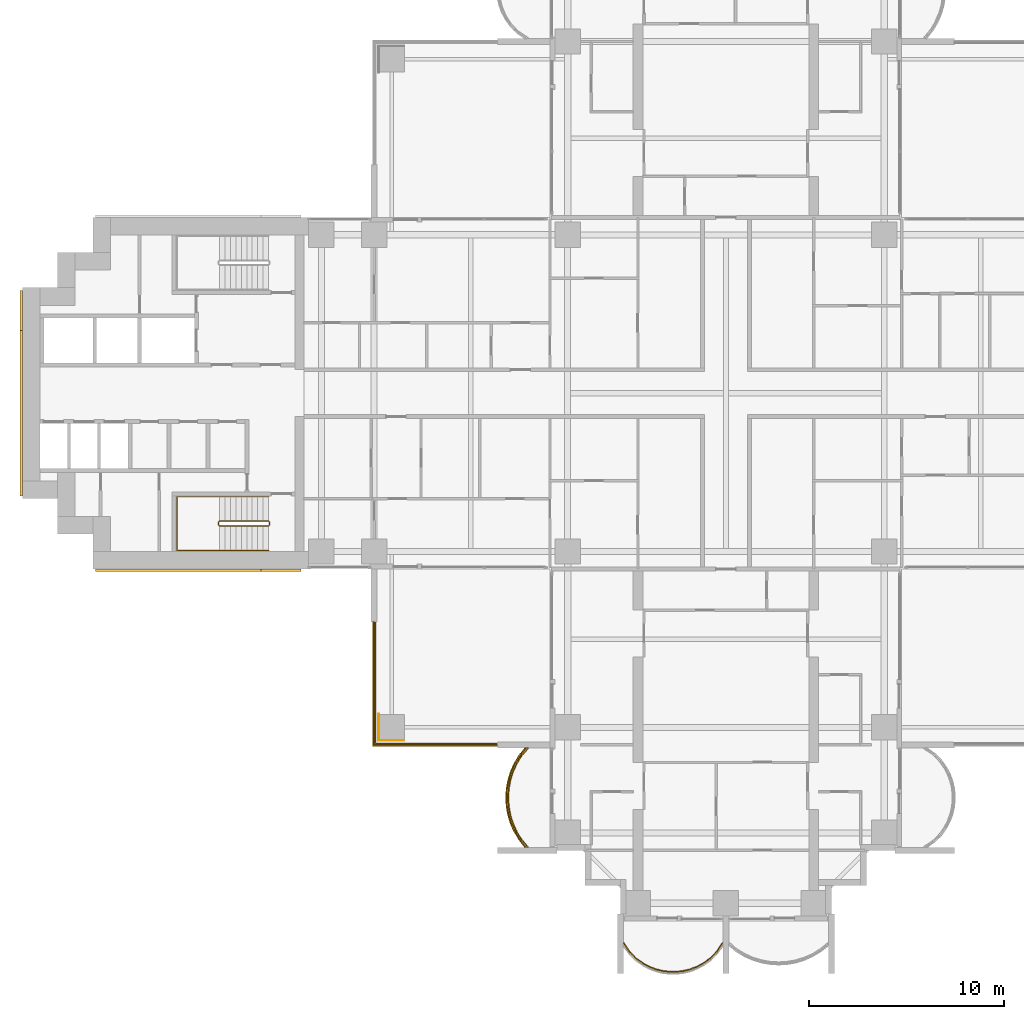
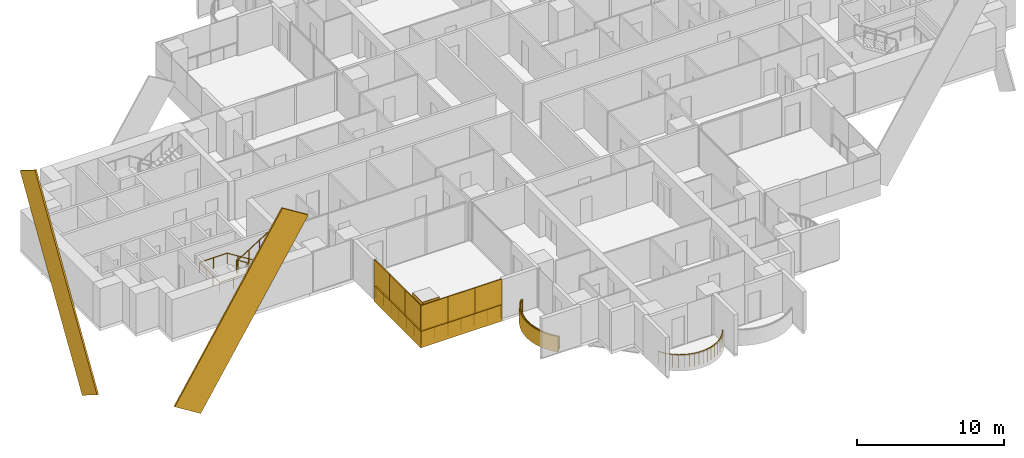
# One storey, part 19 of 23: 12 coverings, 5 railings.
"""IFC4 building model written with IfcOpenShell, lengths in metres."""

from ifc_helpers import new_model, si_unit, direction, frame, origin, origin_2d, place, context, subcontext, project, spatial, polyline, rectangle, outline, extrude, material, layer, layer_set, material_profile, profile_set, type_object, element, save


model = new_model("IFC4")

# Units and contexts
model_context = context("Model", 3, precision=1e-05, world=origin(), true_north=direction((0.0, 1.0)))
body_context = subcontext(model_context, "Body", "Model", "MODEL_VIEW")
ifc_project = project(units=[si_unit("LENGTHUNIT", "METRE"), si_unit("AREAUNIT", "SQUARE_METRE"), si_unit("VOLUMEUNIT", "CUBIC_METRE"), si_unit("PLANEANGLEUNIT", "RADIAN"), si_unit("MASSUNIT", "GRAM", prefix="KILO")], contexts=[model_context])

# Site, building, storey
site_placement = place(None, origin())
site = spatial("IfcSite", under=ifc_project, at=site_placement, CompositionType="ELEMENT")
building_placement = place(site_placement, origin())
building = spatial("IfcBuilding", under=site, at=building_placement, Name="Perihelion Cross Residences", CompositionType="ELEMENT")
storey_placement = place(building_placement, frame((0.0, 0.0, 85.5)))
storey = spatial("IfcBuildingStorey", under=building, at=storey_placement, Name="L19", CompositionType="ELEMENT", Elevation=85.5)

# Covering
ifc_material_1 = material(Name="Bronze anodised aluminium", Category="aluminium")
ifc_layer_1 = layer(ifc_material_1, 0.070068359375)
ifc_layer_set_1 = layer_set([ifc_layer_1], Name="Balcony fascia 1300")
covering_type_1 = type_object("IfcCoveringType", Name="Balcony fascia 1300", PredefinedType="CLADDING", material=ifc_layer_set_1)
covering_1_placement = place(storey_placement, frame((0.0, 0.0, -0.199951171875)))
element("IfcCovering", 1, at=covering_1_placement, inside=storey, type_object=covering_type_1, Name="Fascia BF1 L19 south side west bay 2", PredefinedType="CLADDING", context=body_context, shape_type="SweptSolid", body=[
    extrude(outline(polyline([(-10.59765625, -18.53515625), (-10.85498046875, -18.96826171875), (-11.04248046875, -19.401123046875), (-11.170654296875, -19.833984375), (-11.245361328125, -20.26708984375), (-11.27001953125, -20.699951171875), (-11.245361328125, -21.133056640625), (-11.170654296875, -21.56591796875), (-11.04248046875, -21.998779296875), (-10.85498046875, -22.431884765625), (-10.59765625, -22.86474609375), (-10.28955078125, -23.25), (-10.199951171875, -23.25), (-10.5400390625, -22.824951171875), (-10.792724609375, -22.39990234375), (-10.9765625, -21.97509765625), (-11.1025390625, -21.550048828125), (-11.17578125, -21.125), (-11.199951171875, -20.699951171875), (-11.17578125, -20.27490234375), (-11.1025390625, -19.85009765625), (-10.9765625, -19.425048828125), (-10.792724609375, -19.0), (-10.5400390625, -18.574951171875), (-10.199951171875, -18.14990234375), (-10.28955078125, -18.14990234375), (-10.59765625, -18.53515625)])), origin(), (0.0, 0.0, 1.0), 1.300048828125),
])

# Railings
ifc_material_2 = material(Name="Bronze anodised aluminium", Category="aluminium")
railing_type_1 = type_object("IfcRailingType", Name="Balcony guard 1100", PredefinedType="GUARDRAIL", material=ifc_material_2)
railing_1_placement = place(storey_placement, frame((-10.139892578125, -18.175048828125, 0.0)))
element("IfcRailing", 2, at=railing_1_placement, inside=storey, type_object=railing_type_1, Name="Guard GU1 L19 south side west bay 2 balcony", PredefinedType="GUARDRAIL", context=body_context, shape_type="SweptSolid", body=[
    extrude(rectangle(XDim=0.048095703125, YDim=0.048095703125, at=origin_2d()), frame((0.0, 0.0, 1.076171875), z_axis=(-0.647837396648, -0.761778647315, 0.0), x_axis=(0.761778647315, -0.647837396648, 0.0)), (0.0, 0.0, 1.0), 0.52490234375),
    extrude(rectangle(XDim=0.048095703125, YDim=0.048095703125, at=origin_2d()), frame((-0.340087890625, -0.39990234375, 1.076171875), z_axis=(-0.511006381501, -0.859576918062, 0.0), x_axis=(0.859576918062, -0.511006381501, 0.0)), (0.0, 0.0, 1.0), 0.494384765625),
    extrude(rectangle(XDim=0.048095703125, YDim=0.048095703125, at=origin_2d()), frame((-0.5927734375, -0.824951171875, 1.076171875), z_axis=(-0.397415137459, -0.917638931453, 0.0), x_axis=(0.917638931453, -0.397415137459, 0.0)), (0.0, 0.0, 1.0), 0.463134765625),
    extrude(rectangle(XDim=0.048095703125, YDim=0.048095703125, at=origin_2d()), frame((-0.77685546875, -1.25, 1.076171875), z_axis=(-0.283656975924, -0.958925815697, 0.0), x_axis=(0.958925815697, -0.283656975924, 0.0)), (0.0, 0.0, 1.0), 0.443359375),
    extrude(rectangle(XDim=0.048095703125, YDim=0.048095703125, at=origin_2d()), frame((-0.902587890625, -1.675048828125, 1.076171875), z_axis=(-0.170456843651, -0.985365142702, 0.0), x_axis=(0.985365142702, -0.170456843651, 0.0)), (0.0, 0.0, 1.0), 0.43115234375),
    extrude(rectangle(XDim=0.048095703125, YDim=0.048095703125, at=origin_2d()), frame((-0.97607421875, -2.099853515625, 1.076171875), z_axis=(-0.056200523353, -0.9984195016, 0.0), x_axis=(0.9984195016, -0.056200523353, 0.0)), (0.0, 0.0, 1.0), 0.42578125),
    extrude(rectangle(XDim=0.048095703125, YDim=0.048095703125, at=origin_2d()), frame((-1.0, -2.52490234375, 1.076171875), z_axis=(0.056200523353, -0.9984195016, 0.0), x_axis=(0.9984195016, 0.056200523353, 0.0)), (0.0, 0.0, 1.0), 0.42578125),
    extrude(rectangle(XDim=0.048095703125, YDim=0.048095703125, at=origin_2d()), frame((-0.97607421875, -2.949951171875, 1.076171875), z_axis=(0.17036177859, -0.985381583142, 0.0), x_axis=(0.985381583142, 0.17036177859, 0.0)), (0.0, 0.0, 1.0), 0.431396484375),
    extrude(rectangle(XDim=0.048095703125, YDim=0.048095703125, at=origin_2d()), frame((-0.902587890625, -3.375, 1.076171875), z_axis=(0.283656975924, -0.958925815697, 0.0), x_axis=(0.958925815697, 0.283656975924, 0.0)), (0.0, 0.0, 1.0), 0.443359375),
    extrude(rectangle(XDim=0.048095703125, YDim=0.048095703125, at=origin_2d()), frame((-0.77685546875, -3.800048828125, 1.076171875), z_axis=(0.397607437634, -0.91755562531, 0.0), x_axis=(0.91755562531, 0.397607437634, 0.0)), (0.0, 0.0, 1.0), 0.462890625),
    extrude(rectangle(XDim=0.048095703125, YDim=0.048095703125, at=origin_2d()), frame((-0.5927734375, -4.224853515625, 1.076171875), z_axis=(0.511006381501, -0.859576918062, 0.0), x_axis=(0.859576918062, 0.511006381501, 0.0)), (0.0, 0.0, 1.0), 0.494384765625),
    extrude(rectangle(XDim=0.048095703125, YDim=0.048095703125, at=origin_2d()), frame((-0.340087890625, -4.64990234375, 1.076171875), z_axis=(0.647607934281, -0.761973728849, 0.0), x_axis=(0.761973728849, 0.647607934281, 0.0)), (0.0, 0.0, 1.0), 0.525146484375),
    extrude(rectangle(XDim=0.0419921875, YDim=0.0419921875, at=origin_2d()), origin(), (0.0, 0.0, 1.0), 1.052001953125),
    extrude(rectangle(XDim=0.0419921875, YDim=0.0419921875, at=origin_2d()), frame((-0.340087890625, -0.39990234375, 0.0)), (0.0, 0.0, 1.0), 1.052001953125),
    extrude(rectangle(XDim=0.0419921875, YDim=0.0419921875, at=origin_2d()), frame((-0.5927734375, -0.824951171875, 0.0)), (0.0, 0.0, 1.0), 1.052001953125),
    extrude(rectangle(XDim=0.0419921875, YDim=0.0419921875, at=origin_2d()), frame((-0.77685546875, -1.25, 0.0)), (0.0, 0.0, 1.0), 1.052001953125),
    extrude(rectangle(XDim=0.0419921875, YDim=0.0419921875, at=origin_2d()), frame((-0.902587890625, -1.675048828125, 0.0)), (0.0, 0.0, 1.0), 1.052001953125),
    extrude(rectangle(XDim=0.0419921875, YDim=0.0419921875, at=origin_2d()), frame((-0.97607421875, -2.099853515625, 0.0)), (0.0, 0.0, 1.0), 1.052001953125),
    extrude(rectangle(XDim=0.0419921875, YDim=0.0419921875, at=origin_2d()), frame((-1.0, -2.52490234375, 0.0)), (0.0, 0.0, 1.0), 1.052001953125),
    extrude(rectangle(XDim=0.0419921875, YDim=0.0419921875, at=origin_2d()), frame((-0.97607421875, -2.949951171875, 0.0)), (0.0, 0.0, 1.0), 1.052001953125),
    extrude(rectangle(XDim=0.0419921875, YDim=0.0419921875, at=origin_2d()), frame((-0.902587890625, -3.375, 0.0)), (0.0, 0.0, 1.0), 1.052001953125),
    extrude(rectangle(XDim=0.0419921875, YDim=0.0419921875, at=origin_2d()), frame((-0.77685546875, -3.800048828125, 0.0)), (0.0, 0.0, 1.0), 1.052001953125),
    extrude(rectangle(XDim=0.0419921875, YDim=0.0419921875, at=origin_2d()), frame((-0.5927734375, -4.224853515625, 0.0)), (0.0, 0.0, 1.0), 1.052001953125),
    extrude(rectangle(XDim=0.0419921875, YDim=0.0419921875, at=origin_2d()), frame((-0.340087890625, -4.64990234375, 0.0)), (0.0, 0.0, 1.0), 1.052001953125),
    extrude(rectangle(XDim=0.0419921875, YDim=0.0419921875, at=origin_2d()), frame((0.0, -5.050048828125, 0.0)), (0.0, 0.0, 1.0), 1.052001953125),
])
railing_2_placement = place(storey_placement, frame((-5.22509765625, -28.139892578125, 0.0)))
element("IfcRailing", 3, at=railing_2_placement, inside=storey, type_object=railing_type_1, Name="Guard GU1 L19 south tip south bay 1 balcony", PredefinedType="GUARDRAIL", context=body_context, shape_type="SweptSolid", body=[
    extrude(rectangle(XDim=0.048095703125, YDim=0.048095703125, at=origin_2d()), frame((0.0, 0.0, 1.076171875), z_axis=(0.55144309028, -0.834212513801, 0.0), x_axis=(0.834212513801, 0.55144309028, 0.0)), (0.0, 0.0, 1.0), 0.571533203125),
    extrude(rectangle(XDim=0.048095703125, YDim=0.048095703125, at=origin_2d()), frame((0.315185546875, -0.476806640625, 1.076171875), z_axis=(0.717080736691, -0.696990112603, 0.0), x_axis=(0.696990112603, 0.717080736691, 0.0)), (0.0, 0.0, 1.0), 0.473876953125),
    extrude(rectangle(XDim=0.048095703125, YDim=0.048095703125, at=origin_2d()), frame((0.655029296875, -0.80712890625, 1.076171875), z_axis=(0.814562360662, -0.580075995532, 0.0), x_axis=(0.580075995532, 0.814562360662, 0.0)), (0.0, 0.0, 1.0), 0.41748046875),
    extrude(rectangle(XDim=0.048095703125, YDim=0.048095703125, at=origin_2d()), frame((0.9951171875, -1.04931640625, 1.076171875), z_axis=(0.886005761733, -0.463674228502, 0.0), x_axis=(0.463674228502, 0.886005761733, 0.0)), (0.0, 0.0, 1.0), 0.3837890625),
    extrude(rectangle(XDim=0.048095703125, YDim=0.048095703125, at=origin_2d()), frame((1.335205078125, -1.227294921875, 1.076171875), z_axis=(0.937431552165, -0.348169621027, 0.0), x_axis=(0.348169621027, 0.937431552165, 0.0)), (0.0, 0.0, 1.0), 0.362548828125),
    extrude(rectangle(XDim=0.048095703125, YDim=0.048095703125, at=origin_2d()), frame((1.675048828125, -1.353515625, 1.076171875), z_axis=(0.972753741142, -0.231840805498, 0.0), x_axis=(0.231840805498, 0.972753741142, 0.0)), (0.0, 0.0, 1.0), 0.349609375),
    extrude(rectangle(XDim=0.048095703125, YDim=0.048095703125, at=origin_2d()), frame((2.01513671875, -1.4345703125, 1.076171875), z_axis=(0.993295952156, -0.11559909788, 0.0), x_axis=(0.11559909788, 0.993295952156, 0.0)), (0.0, 0.0, 1.0), 0.342041015625),
    extrude(rectangle(XDim=0.048095703125, YDim=0.048095703125, at=origin_2d()), frame((2.35498046875, -1.47412109375, 1.076171875), z_axis=(1.0, 0.0, 0.0), x_axis=(0.0, 1.0, 0.0)), (0.0, 0.0, 1.0), 0.340087890625),
    extrude(rectangle(XDim=0.048095703125, YDim=0.048095703125, at=origin_2d()), frame((2.695068359375, -1.47412109375, 1.076171875), z_axis=(0.993305477634, 0.11551721994, 0.0), x_axis=(-0.11551721994, 0.993305477634, 0.0)), (0.0, 0.0, 1.0), 0.34228515625),
    extrude(rectangle(XDim=0.048095703125, YDim=0.048095703125, at=origin_2d()), frame((3.03515625, -1.4345703125, 1.076171875), z_axis=(0.972716168284, 0.231998396458, 0.0), x_axis=(-0.231998396458, 0.972716168284, 0.0)), (0.0, 0.0, 1.0), 0.349365234375),
    extrude(rectangle(XDim=0.048095703125, YDim=0.048095703125, at=origin_2d()), frame((3.375, -1.353515625, 1.076171875), z_axis=(0.93751311099, 0.347949948587, 0.0), x_axis=(-0.347949948587, 0.93751311099, 0.0)), (0.0, 0.0, 1.0), 0.36279296875),
    extrude(rectangle(XDim=0.048095703125, YDim=0.048095703125, at=origin_2d()), frame((3.715087890625, -1.227294921875, 1.076171875), z_axis=(0.886005761733, 0.463674228502, 0.0), x_axis=(-0.463674228502, 0.886005761733, 0.0)), (0.0, 0.0, 1.0), 0.3837890625),
    extrude(rectangle(XDim=0.048095703125, YDim=0.048095703125, at=origin_2d()), frame((4.05517578125, -1.04931640625, 1.076171875), z_axis=(0.814365457194, 0.580352394782, 0.0), x_axis=(-0.580352394782, 0.814365457194, 0.0)), (0.0, 0.0, 1.0), 0.417236328125),
    extrude(rectangle(XDim=0.048095703125, YDim=0.048095703125, at=origin_2d()), frame((4.39501953125, -0.80712890625, 1.076171875), z_axis=(0.717330852669, 0.69673269466, 0.0), x_axis=(-0.69673269466, 0.717330852669, 0.0)), (0.0, 0.0, 1.0), 0.47412109375),
    extrude(rectangle(XDim=0.048095703125, YDim=0.048095703125, at=origin_2d()), frame((4.735107421875, -0.476806640625, 1.076171875), z_axis=(0.551145731138, 0.834409002258, 0.0), x_axis=(-0.834409002258, 0.551145731138, 0.0)), (0.0, 0.0, 1.0), 0.571533203125),
    extrude(rectangle(XDim=0.0419921875, YDim=0.0419921875, at=origin_2d()), origin(), (0.0, 0.0, 1.0), 1.052001953125),
    extrude(rectangle(XDim=0.0419921875, YDim=0.0419921875, at=origin_2d()), frame((0.315185546875, -0.476806640625, 0.0)), (0.0, 0.0, 1.0), 1.052001953125),
    extrude(rectangle(XDim=0.0419921875, YDim=0.0419921875, at=origin_2d()), frame((0.655029296875, -0.80712890625, 0.0)), (0.0, 0.0, 1.0), 1.052001953125),
    extrude(rectangle(XDim=0.0419921875, YDim=0.0419921875, at=origin_2d()), frame((0.9951171875, -1.04931640625, 0.0)), (0.0, 0.0, 1.0), 1.052001953125),
    extrude(rectangle(XDim=0.0419921875, YDim=0.0419921875, at=origin_2d()), frame((1.335205078125, -1.227294921875, 0.0)), (0.0, 0.0, 1.0), 1.052001953125),
    extrude(rectangle(XDim=0.0419921875, YDim=0.0419921875, at=origin_2d()), frame((1.675048828125, -1.353515625, 0.0)), (0.0, 0.0, 1.0), 1.052001953125),
    extrude(rectangle(XDim=0.0419921875, YDim=0.0419921875, at=origin_2d()), frame((2.01513671875, -1.4345703125, 0.0)), (0.0, 0.0, 1.0), 1.052001953125),
    extrude(rectangle(XDim=0.0419921875, YDim=0.0419921875, at=origin_2d()), frame((2.35498046875, -1.47412109375, 0.0)), (0.0, 0.0, 1.0), 1.052001953125),
    extrude(rectangle(XDim=0.0419921875, YDim=0.0419921875, at=origin_2d()), frame((2.695068359375, -1.47412109375, 0.0)), (0.0, 0.0, 1.0), 1.052001953125),
    extrude(rectangle(XDim=0.0419921875, YDim=0.0419921875, at=origin_2d()), frame((3.03515625, -1.4345703125, 0.0)), (0.0, 0.0, 1.0), 1.052001953125),
    extrude(rectangle(XDim=0.0419921875, YDim=0.0419921875, at=origin_2d()), frame((3.375, -1.353515625, 0.0)), (0.0, 0.0, 1.0), 1.052001953125),
    extrude(rectangle(XDim=0.0419921875, YDim=0.0419921875, at=origin_2d()), frame((3.715087890625, -1.227294921875, 0.0)), (0.0, 0.0, 1.0), 1.052001953125),
    extrude(rectangle(XDim=0.0419921875, YDim=0.0419921875, at=origin_2d()), frame((4.05517578125, -1.04931640625, 0.0)), (0.0, 0.0, 1.0), 1.052001953125),
    extrude(rectangle(XDim=0.0419921875, YDim=0.0419921875, at=origin_2d()), frame((4.39501953125, -0.80712890625, 0.0)), (0.0, 0.0, 1.0), 1.052001953125),
    extrude(rectangle(XDim=0.0419921875, YDim=0.0419921875, at=origin_2d()), frame((4.735107421875, -0.476806640625, 0.0)), (0.0, 0.0, 1.0), 1.052001953125),
    extrude(rectangle(XDim=0.0419921875, YDim=0.0419921875, at=origin_2d()), frame((5.050048828125, 0.0, 0.0)), (0.0, 0.0, 1.0), 1.052001953125),
])
railing_3_placement = place(storey_placement, frame((-11.739990234375, -17.93994140625, 0.0)))
element("IfcRailing", 4, at=railing_3_placement, inside=storey, type_object=railing_type_1, Name="Guard GU1 L19 pocket south-west 1", PredefinedType="GUARDRAIL", context=body_context, shape_type="SweptSolid", body=[
    extrude(rectangle(XDim=0.048095703125, YDim=0.048095703125, at=origin_2d()), frame((0.0, 0.0, 1.076171875), z_axis=(-1.0, 0.0, 0.0), x_axis=(0.0, -1.0, 0.0)), (0.0, 0.0, 1.0), 6.199951171875),
    extrude(rectangle(XDim=0.048095703125, YDim=0.048095703125, at=origin_2d()), frame((-6.199951171875, 0.0, 1.076171875), z_axis=(0.0, 1.0, 0.0), x_axis=(-1.0, 0.0, 0.0)), (0.0, 0.0, 1.0), 6.199951171875),
    extrude(rectangle(XDim=0.0419921875, YDim=0.0419921875, at=origin_2d()), origin(), (0.0, 0.0, 1.0), 1.052001953125),
    extrude(rectangle(XDim=0.0419921875, YDim=0.0419921875, at=origin_2d()), frame((-1.033203125, 0.0, 0.0)), (0.0, 0.0, 1.0), 1.052001953125),
    extrude(rectangle(XDim=0.0419921875, YDim=0.0419921875, at=origin_2d()), frame((-2.066650390625, 0.0, 0.0)), (0.0, 0.0, 1.0), 1.052001953125),
    extrude(rectangle(XDim=0.0419921875, YDim=0.0419921875, at=origin_2d()), frame((-3.10009765625, 0.0, 0.0)), (0.0, 0.0, 1.0), 1.052001953125),
    extrude(rectangle(XDim=0.0419921875, YDim=0.0419921875, at=origin_2d()), frame((-4.13330078125, 0.0, 0.0)), (0.0, 0.0, 1.0), 1.052001953125),
    extrude(rectangle(XDim=0.0419921875, YDim=0.0419921875, at=origin_2d()), frame((-5.16650390625, 0.0, 0.0)), (0.0, 0.0, 1.0), 1.052001953125),
    extrude(rectangle(XDim=0.0419921875, YDim=0.0419921875, at=origin_2d()), frame((-6.199951171875, 0.0, 0.0)), (0.0, 0.0, 1.0), 1.052001953125),
    extrude(rectangle(XDim=0.0419921875, YDim=0.0419921875, at=origin_2d()), frame((-6.199951171875, 1.033203125, 0.0)), (0.0, 0.0, 1.0), 1.052001953125),
    extrude(rectangle(XDim=0.0419921875, YDim=0.0419921875, at=origin_2d()), frame((-6.199951171875, 2.066650390625, 0.0)), (0.0, 0.0, 1.0), 1.052001953125),
    extrude(rectangle(XDim=0.0419921875, YDim=0.0419921875, at=origin_2d()), frame((-6.199951171875, 3.10009765625, 0.0)), (0.0, 0.0, 1.0), 1.052001953125),
    extrude(rectangle(XDim=0.0419921875, YDim=0.0419921875, at=origin_2d()), frame((-6.199951171875, 4.13330078125, 0.0)), (0.0, 0.0, 1.0), 1.052001953125),
    extrude(rectangle(XDim=0.0419921875, YDim=0.0419921875, at=origin_2d()), frame((-6.199951171875, 5.16650390625, 0.0)), (0.0, 0.0, 1.0), 1.052001953125),
    extrude(rectangle(XDim=0.0419921875, YDim=0.0419921875, at=origin_2d()), frame((-6.199951171875, 6.199951171875, 0.0)), (0.0, 0.0, 1.0), 1.052001953125),
])

# Coverings
ifc_material_3 = material(Name="Bronze anodised aluminium", Category="aluminium")
ifc_material_profile = material_profile(ifc_material_3, rectangle(XDim=0.125, YDim=2.39990234375, at=origin_2d()), Name="Bronze cladding band 2400")
ifc_profile_set = profile_set([ifc_material_profile], Name="Bronze anodised aluminium")
covering_type_2 = type_object("IfcCoveringType", Name="Bronze cladding band 2400", PredefinedType="CLADDING", material=ifc_profile_set)
for number, where, z_axis, x_axis, name in (
    (5, (-31.232421875, -9.0625, -6.24755859375), (0.529924750763, 0.0, 0.848044667767), (0.0, 1.0, 0.0), "Core cladding band, west core"),
    (6, (-36.0625, -4.232421875, -6.24755859375), (0.0, 0.529924750763, 0.848044667767), (-1.0, 0.0, 0.0), "Core cladding band, west core"),
):
    element("IfcCovering", number, at=place(storey_placement, frame(where, z_axis=z_axis, x_axis=x_axis)), inside=storey, type_object=covering_type_2, Name=name, PredefinedType="CLADDING", context=body_context, shape_type="SweptSolid", body=[
        extrude(rectangle(XDim=0.125, YDim=2.39990234375, at=origin_2d()), origin(), (0.0, 0.0, 1.0), 15.9736328125),
    ])
ifc_material_4 = material(Name="Bronze anodised aluminium", Category="aluminium")
ifc_layer_2 = layer(ifc_material_4, 0.0400390625)
ifc_layer_set_2 = layer_set([ifc_layer_2], Name="Bronze column casing 40")
covering_type_3 = type_object("IfcCoveringType", Name="Bronze column casing 40", PredefinedType="CLADDING", material=ifc_layer_set_2)
covering_2_placement = place(storey_placement, frame((-17.77001953125, -17.10009765625, -0.25), z_axis=(0.0, 0.0, 1.0), x_axis=(1.0, 0.0, 0.0)))
element("IfcCovering", 7, at=covering_2_placement, inside=storey, type_object=covering_type_3, Name="Cladding CC1 L19 casing east-west no. 1", PredefinedType="CLADDING", context=body_context, shape_type="SweptSolid", body=[
    extrude(rectangle(XDim=0.0400390625, YDim=1.3798828125, at=origin_2d()), origin(), (0.0, 0.0, 1.0), 3.5),
])
covering_3_placement = place(storey_placement, frame((-17.10009765625, -17.77001953125, -0.25), z_axis=(0.0, 0.0, 1.0), x_axis=(1.0, 0.0, 0.0)))
element("IfcCovering", 8, at=covering_3_placement, inside=storey, type_object=covering_type_3, Name="Cladding CC1 L19 casing north-south no. 1", PredefinedType="CLADDING", context=body_context, shape_type="SweptSolid", body=[
    extrude(rectangle(XDim=1.300048828125, YDim=0.0400390625, at=origin_2d()), origin(), (0.0, 0.0, 1.0), 3.5),
])
ifc_material_5 = material(Name="Bronze anodised aluminium", Category="aluminium")
ifc_layer_3 = layer(ifc_material_5, 0.070068359375)
ifc_layer_set_3 = layer_set([ifc_layer_3], Name="Pocket fascia 1350")
covering_type_4 = type_object("IfcCoveringType", Name="Pocket fascia 1350", PredefinedType="CLADDING", material=ifc_layer_set_3)
covering_4_placement = place(storey_placement, frame((0.0, 0.0, -0.25)))
element("IfcCovering", 9, at=covering_4_placement, inside=storey, type_object=covering_type_4, Name="Fascia BF2 L19 pocket south-west 1", PredefinedType="CLADDING", context=body_context, shape_type="SweptSolid", body=[
    extrude(outline(polyline([(-18.070068359375, -11.699951171875), (-18.070068359375, -18.070068359375), (-11.699951171875, -18.070068359375), (-11.699951171875, -18.0), (-18.0, -18.0), (-18.0, -11.699951171875), (-18.070068359375, -11.699951171875)])), origin(), (0.0, 0.0, 1.0), 1.35009765625),
])
ifc_material_6 = material(Name="Bronze perforated aluminium", Category="aluminium")
ifc_layer_4 = layer(ifc_material_6, 0.070068359375)
ifc_layer_set_4 = layer_set([ifc_layer_4], Name="Pocket solar screen, bronze perforated")
covering_type_5 = type_object("IfcCoveringType", Name="Pocket solar screen, bronze perforated", PredefinedType="CLADDING", material=ifc_layer_set_4)
covering_5_placement = place(storey_placement, frame((0.0, 0.0, 1.10009765625)))
element("IfcCovering", 10, at=covering_5_placement, inside=storey, type_object=covering_type_5, Name="Solar screen PS1 L19 pocket south-west no. 1", PredefinedType="CLADDING", context=body_context, shape_type="SweptSolid", body=[
    extrude(outline(polyline([(-18.0, -18.0), (-18.0, -15.89990234375), (-18.070068359375, -15.89990234375), (-18.070068359375, -18.0), (-18.0, -18.0)])), origin(), (0.0, 0.0, 1.0), 2.14990234375),
])
covering_6_placement = place(storey_placement, frame((0.0, 0.0, 1.10009765625)))
element("IfcCovering", 11, at=covering_6_placement, inside=storey, type_object=covering_type_5, Name="Solar screen PS1 L19 pocket south-west no. 2", PredefinedType="CLADDING", context=body_context, shape_type="SweptSolid", body=[
    extrude(outline(polyline([(-18.0, -15.89990234375), (-18.0, -13.800048828125), (-18.070068359375, -13.800048828125), (-18.070068359375, -15.89990234375), (-18.0, -15.89990234375)])), origin(), (0.0, 0.0, 1.0), 2.14990234375),
])
covering_7_placement = place(storey_placement, frame((0.0, 0.0, 1.10009765625)))
element("IfcCovering", 12, at=covering_7_placement, inside=storey, type_object=covering_type_5, Name="Solar screen PS1 L19 pocket south-west no. 3", PredefinedType="CLADDING", context=body_context, shape_type="SweptSolid", body=[
    extrude(outline(polyline([(-18.0, -13.800048828125), (-18.0, -11.699951171875), (-18.070068359375, -11.699951171875), (-18.070068359375, -13.800048828125), (-18.0, -13.800048828125)])), origin(), (0.0, 0.0, 1.0), 2.14990234375),
])
covering_8_placement = place(storey_placement, frame((0.0, 0.0, 1.10009765625)))
element("IfcCovering", 13, at=covering_8_placement, inside=storey, type_object=covering_type_5, Name="Solar screen PS1 L19 pocket south-west no. 4", PredefinedType="CLADDING", context=body_context, shape_type="SweptSolid", body=[
    extrude(outline(polyline([(-15.94677734375, -18.070068359375), (-15.94677734375, -18.0), (-18.070068359375, -18.0), (-18.070068359375, -18.070068359375), (-15.94677734375, -18.070068359375)])), origin(), (0.0, 0.0, 1.0), 2.14990234375),
])
covering_9_placement = place(storey_placement, frame((0.0, 0.0, 1.10009765625)))
element("IfcCovering", 14, at=covering_9_placement, inside=storey, type_object=covering_type_5, Name="Solar screen PS1 L19 pocket south-west no. 5", PredefinedType="CLADDING", context=body_context, shape_type="SweptSolid", body=[
    extrude(outline(polyline([(-13.8232421875, -18.070068359375), (-13.8232421875, -18.0), (-15.94677734375, -18.0), (-15.94677734375, -18.070068359375), (-13.8232421875, -18.070068359375)])), origin(), (0.0, 0.0, 1.0), 2.14990234375),
])
covering_10_placement = place(storey_placement, frame((0.0, 0.0, 1.10009765625)))
element("IfcCovering", 15, at=covering_10_placement, inside=storey, type_object=covering_type_5, Name="Solar screen PS1 L19 pocket south-west no. 6", PredefinedType="CLADDING", context=body_context, shape_type="SweptSolid", body=[
    extrude(outline(polyline([(-11.699951171875, -18.070068359375), (-11.699951171875, -18.0), (-13.8232421875, -18.0), (-13.8232421875, -18.070068359375), (-11.699951171875, -18.070068359375)])), origin(), (0.0, 0.0, 1.0), 2.14990234375),
])

# Railings
ifc_material_7 = material(Name="Stainless steel", Category="steel")
railing_type_2 = type_object("IfcRailingType", Name="Stair guard 1100", PredefinedType="GUARDRAIL", material=ifc_material_7)
railing_4_placement = place(storey_placement, frame((-23.35009765625, -6.75, 0.0)))
element("IfcRailing", 16, at=railing_4_placement, inside=storey, type_object=railing_type_2, Name="L19 ST-W2 stair guard 1", PredefinedType="GUARDRAIL", context=body_context, shape_type="SweptSolid", body=[
    extrude(rectangle(XDim=0.048095703125, YDim=0.048095703125, at=origin_2d()), frame((0.0, 0.0, 1.076171875), z_axis=(0.0, 1.0, 0.0), x_axis=(-1.0, 0.0, 0.0)), (0.0, 0.0, 1.0), 0.14990234375),
    extrude(rectangle(XDim=0.048095703125, YDim=0.048095703125, at=origin_2d()), frame((0.0, 0.14990234375, 1.076171875), z_axis=(-0.263862480399, 0.265155923931, 0.927399011991), x_axis=(-0.708833529934, -0.705375805398, 0.0)), (0.0, 0.0, 1.0), 0.188720703125),
    extrude(rectangle(XDim=0.048095703125, YDim=0.048095703125, at=origin_2d()), frame((-0.0498046875, 0.199951171875, 1.2509765625), z_axis=(-0.848007534815, 0.0, 0.529984170421), x_axis=(0.0, -1.0, 0.0)), (0.0, 0.0, 1.0), 2.9716796875),
    extrude(rectangle(XDim=0.048095703125, YDim=0.048095703125, at=origin_2d()), frame((-2.56982421875, 0.199951171875, 2.826171875), z_axis=(-0.707106781187, -0.707106781187, 0.0), x_axis=(0.707106781187, -0.707106781187, 0.0)), (0.0, 0.0, 1.0), 0.07080078125),
    extrude(rectangle(XDim=0.048095703125, YDim=0.048095703125, at=origin_2d()), frame((-2.619873046875, 0.14990234375, 2.826171875), z_axis=(0.0, -1.0, 0.0), x_axis=(1.0, 0.0, 0.0)), (0.0, 0.0, 1.0), 0.14990234375),
    extrude(rectangle(XDim=0.048095703125, YDim=0.048095703125, at=origin_2d()), frame((-2.619873046875, 0.0, 2.826171875), z_axis=(0.265065253269, -0.265065253269, 0.927081885822), x_axis=(0.707106781187, 0.707106781187, 0.0)), (0.0, 0.0, 1.0), 0.188720703125),
    extrude(rectangle(XDim=0.048095703125, YDim=0.048095703125, at=origin_2d()), frame((-2.56982421875, -0.050048828125, 3.0009765625), z_axis=(0.848007534815, 0.0, 0.529984170421), x_axis=(0.0, 1.0, 0.0)), (0.0, 0.0, 1.0), 2.9716796875),
    extrude(rectangle(XDim=0.0419921875, YDim=0.0419921875, at=origin_2d()), origin(), (0.0, 0.0, 1.0), 1.052001953125),
    extrude(rectangle(XDim=0.0419921875, YDim=0.0419921875, at=origin_2d()), frame((0.0, 0.14990234375, 0.0)), (0.0, 0.0, 1.0), 1.052001953125),
    extrude(rectangle(XDim=0.0419921875, YDim=0.0419921875, at=origin_2d()), frame((-0.0498046875, 0.199951171875, 0.175048828125)), (0.0, 0.0, 1.0), 1.052001953125),
    extrude(rectangle(XDim=0.0419921875, YDim=0.0419921875, at=origin_2d()), frame((-0.889892578125, 0.199951171875, 0.699951171875)), (0.0, 0.0, 1.0), 1.052001953125),
    extrude(rectangle(XDim=0.0419921875, YDim=0.0419921875, at=origin_2d()), frame((-1.729736328125, 0.199951171875, 1.22509765625)), (0.0, 0.0, 1.0), 1.052001953125),
    extrude(rectangle(XDim=0.0419921875, YDim=0.0419921875, at=origin_2d()), frame((-2.56982421875, 0.199951171875, 1.75)), (0.0, 0.0, 1.0), 1.052001953125),
    extrude(rectangle(XDim=0.0419921875, YDim=0.0419921875, at=origin_2d()), frame((-2.619873046875, 0.14990234375, 1.75)), (0.0, 0.0, 1.0), 1.052001953125),
    extrude(rectangle(XDim=0.0419921875, YDim=0.0419921875, at=origin_2d()), frame((-2.619873046875, 0.0, 1.75)), (0.0, 0.0, 1.0), 1.052001953125),
    extrude(rectangle(XDim=0.0419921875, YDim=0.0419921875, at=origin_2d()), frame((-2.56982421875, -0.050048828125, 1.925048828125)), (0.0, 0.0, 1.0), 1.052001953125),
    extrude(rectangle(XDim=0.0419921875, YDim=0.0419921875, at=origin_2d()), frame((-1.729736328125, -0.050048828125, 2.449951171875)), (0.0, 0.0, 1.0), 1.052001953125),
    extrude(rectangle(XDim=0.0419921875, YDim=0.0419921875, at=origin_2d()), frame((-0.889892578125, -0.050048828125, 2.97509765625)), (0.0, 0.0, 1.0), 1.052001953125),
    extrude(rectangle(XDim=0.0419921875, YDim=0.0419921875, at=origin_2d()), frame((-0.0498046875, -0.050048828125, 3.5)), (0.0, 0.0, 1.0), 1.052001953125),
])
ifc_material_8 = material(Name="Stainless steel", Category="steel")
railing_type_3 = type_object("IfcRailingType", Name="Stair handrail 900", PredefinedType="HANDRAIL", material=ifc_material_8)
railing_5_placement = place(storey_placement, frame((-23.39990234375, -5.300048828125, 0.175048828125)))
element("IfcRailing", 17, at=railing_5_placement, inside=storey, type_object=railing_type_3, Name="L19 ST-W2 stair handrail 1", PredefinedType="HANDRAIL", context=body_context, shape_type="SweptSolid", body=[
    extrude(rectangle(XDim=0.048095703125, YDim=0.048095703125, at=origin_2d()), frame((0.0, 0.0, 0.8759765625), z_axis=(-0.848007534815, 0.0, 0.529984170421), x_axis=(0.0, -1.0, 0.0)), (0.0, 0.0, 1.0), 2.9716796875),
    extrude(rectangle(XDim=0.048095703125, YDim=0.048095703125, at=origin_2d()), frame((-2.52001953125, 0.0, 2.45068359375), z_axis=(-1.0, 0.0, 0.0), x_axis=(0.0, -1.0, 0.0)), (0.0, 0.0, 1.0), 2.18017578125),
    extrude(rectangle(XDim=0.048095703125, YDim=0.048095703125, at=origin_2d()), frame((-4.7001953125, 0.0, 2.45068359375), z_axis=(0.0, -1.0, 0.0), x_axis=(1.0, 0.0, 0.0)), (0.0, 0.0, 1.0), 2.75),
    extrude(rectangle(XDim=0.048095703125, YDim=0.048095703125, at=origin_2d()), frame((-4.7001953125, -2.75, 2.45068359375), z_axis=(1.0, 0.0, 0.0), x_axis=(0.0, 1.0, 0.0)), (0.0, 0.0, 1.0), 2.18017578125),
    extrude(rectangle(XDim=0.048095703125, YDim=0.048095703125, at=origin_2d()), frame((-2.52001953125, -2.75, 2.45068359375), z_axis=(0.0, 0.0, 1.0), x_axis=(1.0, 0.0, 0.0)), (0.0, 0.0, 1.0), 0.175048828125),
    extrude(rectangle(XDim=0.048095703125, YDim=0.048095703125, at=origin_2d()), frame((-2.52001953125, -2.75, 2.6259765625), z_axis=(0.848007534815, 0.0, 0.529984170421), x_axis=(0.0, 1.0, 0.0)), (0.0, 0.0, 1.0), 2.9716796875),
    extrude(rectangle(XDim=0.0419921875, YDim=0.0419921875, at=origin_2d()), origin(), (0.0, 0.0, 1.0), 0.851806640625),
    extrude(rectangle(XDim=0.0419921875, YDim=0.0419921875, at=origin_2d()), frame((-0.840087890625, 0.0, 0.52490234375)), (0.0, 0.0, 1.0), 0.851806640625),
    extrude(rectangle(XDim=0.0419921875, YDim=0.0419921875, at=origin_2d()), frame((-1.679931640625, 0.0, 1.050048828125)), (0.0, 0.0, 1.0), 0.851806640625),
    extrude(rectangle(XDim=0.0419921875, YDim=0.0419921875, at=origin_2d()), frame((-2.52001953125, 0.0, 1.574951171875)), (0.0, 0.0, 1.0), 0.851806640625),
    extrude(rectangle(XDim=0.0419921875, YDim=0.0419921875, at=origin_2d()), frame((-3.610107421875, 0.0, 1.574951171875)), (0.0, 0.0, 1.0), 0.851806640625),
    extrude(rectangle(XDim=0.0419921875, YDim=0.0419921875, at=origin_2d()), frame((-4.7001953125, 0.0, 1.574951171875)), (0.0, 0.0, 1.0), 0.851806640625),
    extrude(rectangle(XDim=0.0419921875, YDim=0.0419921875, at=origin_2d()), frame((-4.7001953125, -0.916748046875, 1.574951171875)), (0.0, 0.0, 1.0), 0.851806640625),
    extrude(rectangle(XDim=0.0419921875, YDim=0.0419921875, at=origin_2d()), frame((-4.7001953125, -1.833251953125, 1.574951171875)), (0.0, 0.0, 1.0), 0.851806640625),
    extrude(rectangle(XDim=0.0419921875, YDim=0.0419921875, at=origin_2d()), frame((-4.7001953125, -2.75, 1.574951171875)), (0.0, 0.0, 1.0), 0.851806640625),
    extrude(rectangle(XDim=0.0419921875, YDim=0.0419921875, at=origin_2d()), frame((-3.610107421875, -2.75, 1.574951171875)), (0.0, 0.0, 1.0), 0.851806640625),
    extrude(rectangle(XDim=0.0419921875, YDim=0.0419921875, at=origin_2d()), frame((-2.52001953125, -2.75, 1.574951171875)), (0.0, 0.0, 1.0), 0.851806640625),
    extrude(rectangle(XDim=0.0419921875, YDim=0.0419921875, at=origin_2d()), frame((-2.52001953125, -2.75, 1.75)), (0.0, 0.0, 1.0), 0.851806640625),
    extrude(rectangle(XDim=0.0419921875, YDim=0.0419921875, at=origin_2d()), frame((-1.679931640625, -2.75, 2.27490234375)), (0.0, 0.0, 1.0), 0.851806640625),
    extrude(rectangle(XDim=0.0419921875, YDim=0.0419921875, at=origin_2d()), frame((-0.840087890625, -2.75, 2.800048828125)), (0.0, 0.0, 1.0), 0.851806640625),
    extrude(rectangle(XDim=0.0419921875, YDim=0.0419921875, at=origin_2d()), frame((0.0, -2.75, 3.324951171875)), (0.0, 0.0, 1.0), 0.851806640625),
])

save(model, "model.ifc")
